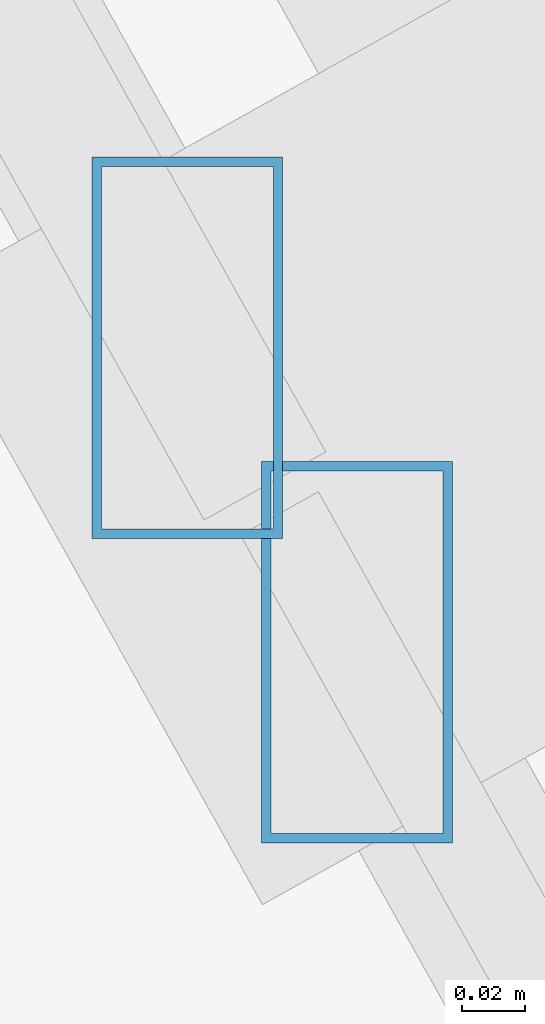
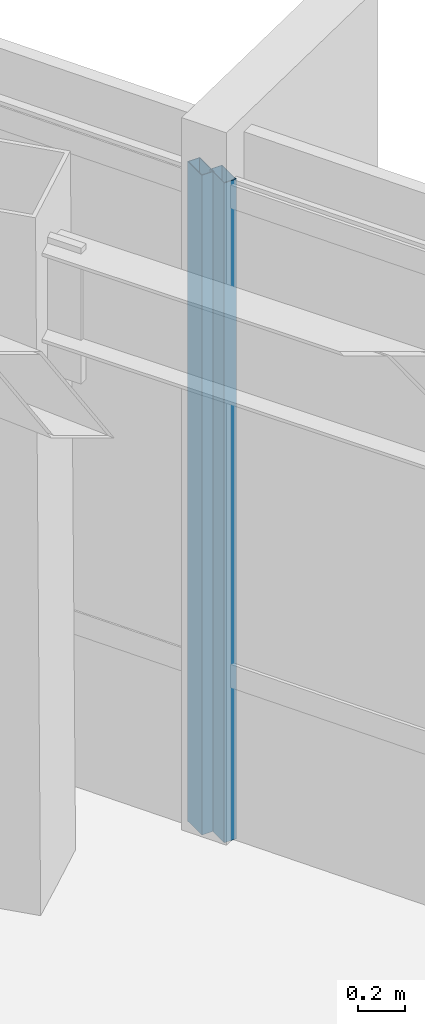
# One storey, part 30 of 48: 2 members, 2 elements without a shape of their own.
"""IFC4 building model written with IfcOpenShell, lengths in metres."""

from ifc_helpers import new_model, si_unit, direction, frame, origin, origin_2d, place, context, subcontext, project, spatial, hollow_rectangle, extrude, source, transform, mapped, material, material_profile, profile_set, type_object, type_shapes, element, aggregate, save


model = new_model("IFC4")

# Units and contexts
model_context = context("Model", 3, precision=1e-05, world=origin(), true_north=direction((0.0, 1.0)))
body_context = subcontext(model_context, "Body", "Model", "MODEL_VIEW")
ifc_project = project(units=[si_unit("LENGTHUNIT", "METRE"), si_unit("AREAUNIT", "SQUARE_METRE"), si_unit("VOLUMEUNIT", "CUBIC_METRE"), si_unit("PLANEANGLEUNIT", "RADIAN"), si_unit("MASSUNIT", "GRAM", prefix="KILO")], contexts=[model_context])

# Site, building, storey
site_placement = place(None, origin())
site = spatial("IfcSite", under=ifc_project, at=site_placement, CompositionType="ELEMENT")
building_placement = place(site_placement, origin())
building = spatial("IfcBuilding", under=site, at=building_placement, Name="Caelisora Broadcast Tower", CompositionType="ELEMENT")
storey_placement = place(building_placement, frame((0.0, 0.0, 277.300048828125)))
storey = spatial("IfcBuildingStorey", under=building, at=storey_placement, Name="L73", CompositionType="ELEMENT", Elevation=277.300048828125)

# Curtain wall, member
ifc_material_1 = material(Name="Unitised Aluminium Insulated Shadow-Box Spandrel Curtain Wall", Category="aluminium")
curtain_wall_type_1 = type_object("IfcCurtainWallType", Name="CW-SP3", PredefinedType="NOTDEFINED", material=ifc_material_1)
curtain_wall_1_placement = place(storey_placement, origin())
curtain_wall_1 = element("IfcCurtainWall", 1, at=curtain_wall_1_placement, inside=storey, type_object=curtain_wall_type_1, Name="L73 curtain wall CW-SP3", PredefinedType="NOTDEFINED")
ifc_material_2 = material(Name="Aluminium 6063-T6 Anodised Terracotta Bronze", Category="aluminium")
ifc_material_profile = material_profile(ifc_material_2, hollow_rectangle(XDim=0.06005859375, YDim=0.1201171875, WallThickness=0.0029296875, at=origin_2d()), Name="Aluminium 6063-T6 Anodised Terracotta Bronze")
ifc_profile_set = profile_set([ifc_material_profile], Name="Aluminium 6063-T6 Anodised Terracotta Bronze")
member_type = type_object("IfcMemberType", Name="CWM-04", PredefinedType="MULLION", material=ifc_profile_set)
shared_shape = source(origin(), body_context, "Body", "SweptSolid", [
    extrude(hollow_rectangle(XDim=0.06005859375, YDim=0.1201171875, WallThickness=0.0029296875, at=origin_2d()), origin(), (0.0, 0.0, 1.0), 3.39990234375),
])
type_shapes(member_type, [shared_shape])
member_1_placement = place(storey_placement, frame((54.2451171875, 25.811279296875, 0.0), z_axis=(0.0, 0.0, 1.0), x_axis=(1.0, 0.0, 0.0)))
member_1 = element("IfcMember", 2, at=member_1_placement, type_object=member_type, Name="L73-CW-B02 mullion #3", PredefinedType="MULLION", context=body_context, shape_type="MappedRepresentation", body=[
    mapped(shared_shape, transform((0.0, 0.0, 0.0), scale=1.0)),
])
aggregate(curtain_wall_1, [member_1])

ifc_material_3 = material(Name="Unitised Aluminium and Low-E Glass Curtain Wall", Category="glass")
curtain_wall_type_2 = type_object("IfcCurtainWallType", Name="CW-Z5", PredefinedType="NOTDEFINED", material=ifc_material_3)
curtain_wall_2_placement = place(storey_placement, origin())
curtain_wall_2 = element("IfcCurtainWall", 3, at=curtain_wall_2_placement, inside=storey, type_object=curtain_wall_type_2, Name="L73 curtain wall CW-Z5", PredefinedType="NOTDEFINED")
member_2_placement = place(storey_placement, frame((54.298583984375, 25.71533203125, 0.0), z_axis=(0.0, 0.0, 1.0), x_axis=(1.0, 0.0, 0.0)))
member_2 = element("IfcMember", 4, at=member_2_placement, type_object=member_type, Name="L73-CW-B03 mullion #0", PredefinedType="MULLION", context=body_context, shape_type="MappedRepresentation", body=[
    mapped(shared_shape, transform((0.0, 0.0, 0.0), scale=1.0)),
])
aggregate(curtain_wall_2, [member_2])

save(model, "model.ifc")
